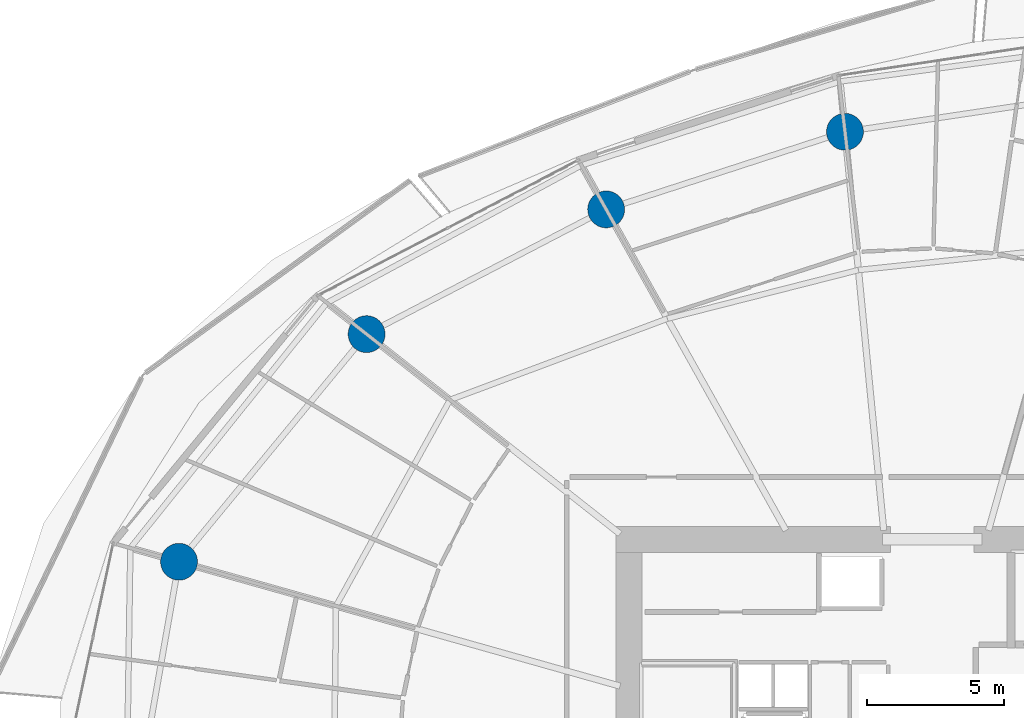
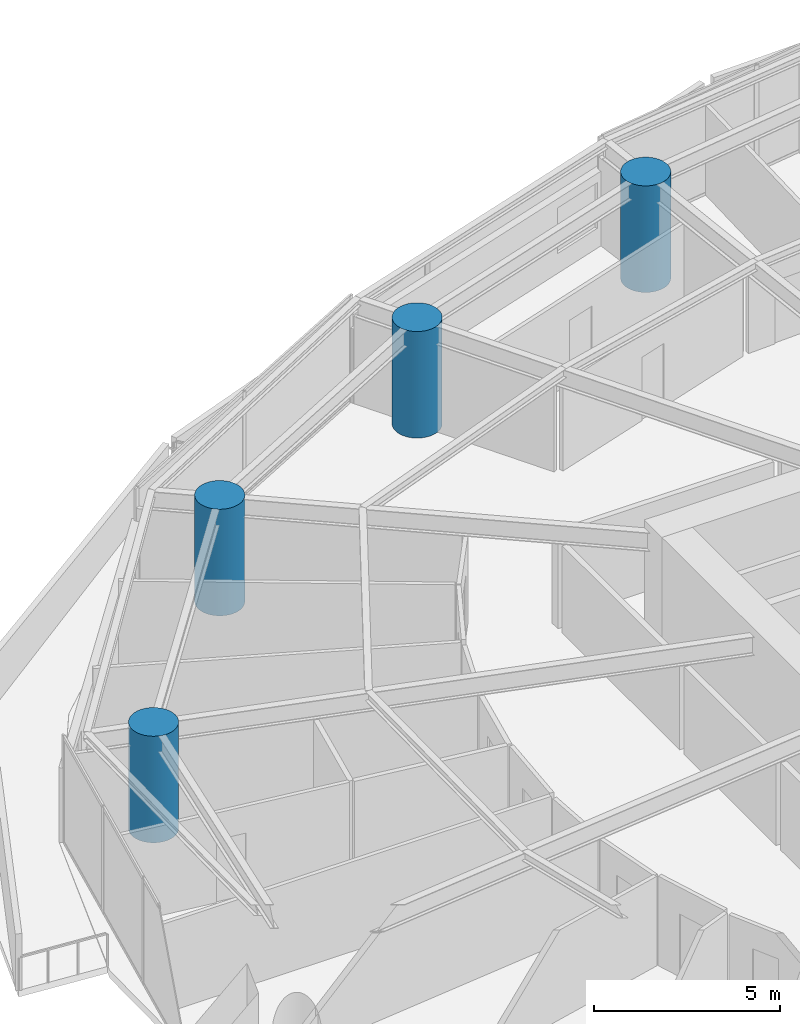
# One storey, part 4 of 31: 4 columns.
"""IFC4 building model written with IfcOpenShell, lengths in metres."""

from ifc_helpers import new_model, si_unit, direction, frame, origin, origin_2d, place, context, subcontext, project, spatial, circle, extrude, material, material_profile, profile_set, type_object, element, save


model = new_model("IFC4")

# Units and contexts
model_context = context("Model", 3, precision=1e-05, world=origin(), true_north=direction((0.0, 1.0)))
body_context = subcontext(model_context, "Body", "Model", "MODEL_VIEW")
ifc_project = project(units=[si_unit("LENGTHUNIT", "METRE"), si_unit("AREAUNIT", "SQUARE_METRE"), si_unit("VOLUMEUNIT", "CUBIC_METRE"), si_unit("PLANEANGLEUNIT", "RADIAN"), si_unit("MASSUNIT", "GRAM", prefix="KILO")], contexts=[model_context])

# Site, building, storey
site_placement = place(None, origin())
site = spatial("IfcSite", under=ifc_project, at=site_placement, CompositionType="ELEMENT")
building_placement = place(site_placement, origin())
building = spatial("IfcBuilding", under=site, at=building_placement, Name="Kazma Halo Residences", CompositionType="ELEMENT")
storey_placement = place(building_placement, frame((0.0, 0.0, 41.39990234375)))
storey = spatial("IfcBuildingStorey", under=building, at=storey_placement, Name="L09", CompositionType="ELEMENT", Elevation=41.39990234375)

# Columns
ifc_material = material(Name="Concrete C80/95", Category="concrete")
ifc_material_profile = material_profile(ifc_material, circle(Radius=0.675048828125, at=origin_2d()), Name="CIRC1350")
ifc_profile_set = profile_set([ifc_material_profile], Name="Concrete C80/95")
column_type = type_object("IfcColumnType", Name="COL-PERIM-1350", PredefinedType="COLUMN", material=ifc_profile_set)
for number, where, z_axis, x_axis, name in (
    (1, (45.231689453125, 65.389404296875, 0.0), (0.0, 0.0, 1.0), (1.0, 0.0, 0.0), "L09 perimeter ring column P04"),
    (2, (36.49169921875, 62.549560546875, 0.0), (0.0, 0.0, 1.0), (1.0, 0.0, 0.0), "L09 perimeter ring column P05"),
    (3, (27.72412109375, 57.984130859375, 0.0), (0.0, 0.0, 1.0), (1.0, 0.0, 0.0), "L09 perimeter ring column P06"),
    (4, (20.859130859375, 49.654541015625, 0.0), (0.0, 0.0, 1.0), (1.0, 0.0, 0.0), "L09 perimeter ring column P07"),
):
    element("IfcColumn", number, at=place(storey_placement, frame(where, z_axis=z_axis, x_axis=x_axis)), inside=storey, type_object=column_type, Name=name, PredefinedType="COLUMN", context=body_context, shape_type="SweptSolid", body=[
        extrude(circle(Radius=0.675048828125, at=origin_2d()), origin(), (0.0, 0.0, 1.0), 3.5),
    ])

save(model, "model.ifc")
